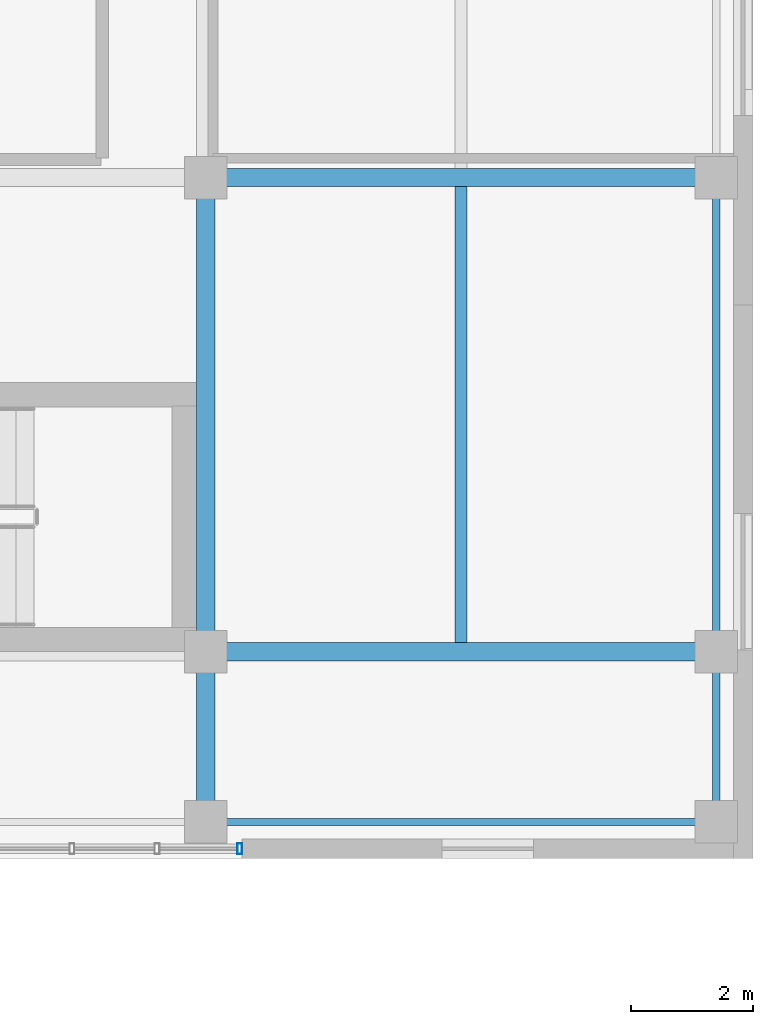
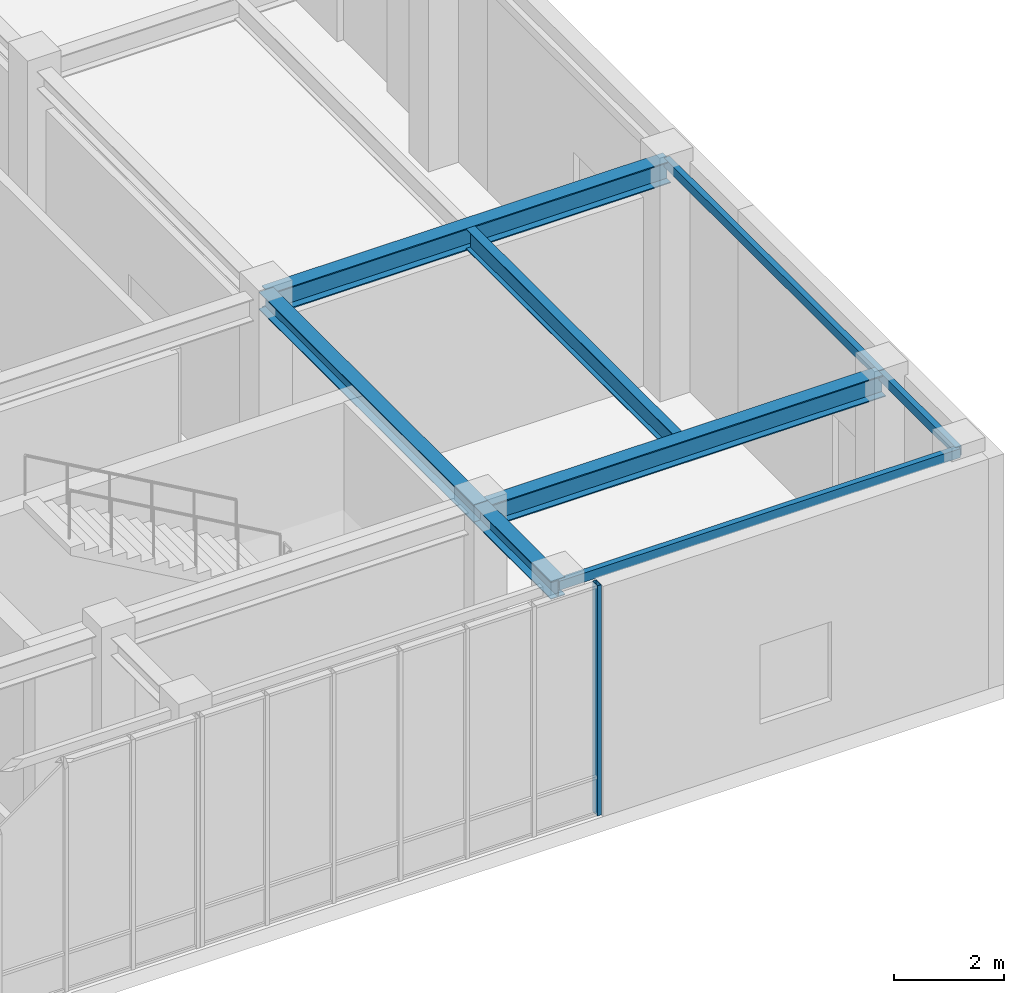
# One storey, part 72 of 122: 8 beams, 1 member, 1 element without a shape of its own.
"""IFC4 building model written with IfcOpenShell, lengths in metres."""

from ifc_helpers import new_model, si_unit, direction, frame, origin, origin_2d, place, context, subcontext, project, spatial, hollow_rectangle, i_section, extrude, material, layer, layer_set, material_profile, profile_set, type_object, element, aggregate, save


model = new_model("IFC4")

# Units and contexts
model_context = context("Model", 3, precision=1e-05, world=origin(), true_north=direction((0.0, 1.0)))
body_context = subcontext(model_context, "Body", "Model", "MODEL_VIEW")
ifc_project = project(units=[si_unit("LENGTHUNIT", "METRE"), si_unit("AREAUNIT", "SQUARE_METRE"), si_unit("VOLUMEUNIT", "CUBIC_METRE"), si_unit("PLANEANGLEUNIT", "RADIAN"), si_unit("MASSUNIT", "GRAM", prefix="KILO")], contexts=[model_context])

# Site, building, storey
site_placement = place(None, origin())
site = spatial("IfcSite", under=ifc_project, at=site_placement, CompositionType="ELEMENT")
building_placement = place(site_placement, origin())
building = spatial("IfcBuilding", under=site, at=building_placement, Name="Zayran Congress Hotel", CompositionType="ELEMENT")
storey_placement = place(building_placement, origin())
storey = spatial("IfcBuildingStorey", under=building, at=storey_placement, Name="L00", CompositionType="ELEMENT", Elevation=0.0)

# Beams
ifc_material_1 = material(Name="Steel S355", Category="steel")
ifc_material_profile_1 = material_profile(ifc_material_1, i_section(OverallWidth=0.300048828125, OverallDepth=0.489990234375, WebThickness=0.011962890625, FlangeThickness=0.02294921875, at=origin_2d()), Name="HEA 500")
ifc_profile_set_1 = profile_set([ifc_material_profile_1], Name="Steel S355")
beam_type_1 = type_object("IfcBeamType", Name="TP-BM-05", PredefinedType="BEAM", material=ifc_profile_set_1)
for number, where, z_axis, x_axis, name in (
    (1, (184.199951171875, 9.39990234375, 4.85498046875), (1.0, 0.0, 0.0), (0.0, 1.0, 0.0), "BM-V3-L00-1058"),
    (2, (184.199951171875, 17.199951171875, 4.85498046875), (1.0, 0.0, 0.0), (0.0, 1.0, 0.0), "BM-V3-L00-1063"),
):
    element("IfcBeam", number, at=place(storey_placement, frame(where, z_axis=z_axis, x_axis=x_axis)), inside=storey, type_object=beam_type_1, Name=name, PredefinedType="BEAM", context=body_context, shape_type="SweptSolid", body=[
        extrude(i_section(OverallWidth=0.300048828125, OverallDepth=0.489990234375, WebThickness=0.011962890625, FlangeThickness=0.02294921875, at=origin_2d()), origin(), (0.0, 0.0, 1.0), 8.400146484375),
    ])
ifc_material_profile_2 = material_profile(ifc_material_1, i_section(OverallWidth=0.300048828125, OverallDepth=0.389892578125, WebThickness=0.010986328125, FlangeThickness=0.01904296875, at=origin_2d()), Name="HEA 400")
ifc_profile_set_2 = profile_set([ifc_material_profile_2], Name="Steel S355")
beam_type_2 = type_object("IfcBeamType", Name="TP-BM-06", PredefinedType="BEAM", material=ifc_profile_set_2)
beam_1_placement = place(storey_placement, frame((184.199951171875, 6.60009765625, 4.905029296875), z_axis=(0.0, 1.0, 0.0), x_axis=(-1.0, 0.0, 0.0)))
element("IfcBeam", 3, at=beam_1_placement, inside=storey, type_object=beam_type_2, Name="BM-V3-L00-1089", PredefinedType="BEAM", context=body_context, shape_type="SweptSolid", body=[
    extrude(i_section(OverallWidth=0.300048828125, OverallDepth=0.389892578125, WebThickness=0.010986328125, FlangeThickness=0.01904296875, at=origin_2d()), origin(), (0.0, 0.0, 1.0), 2.7998046875),
])
beam_2_placement = place(storey_placement, frame((184.199951171875, 9.39990234375, 4.905029296875), z_axis=(0.0, 1.0, 0.0), x_axis=(-1.0, 0.0, 0.0)))
element("IfcBeam", 4, at=beam_2_placement, inside=storey, type_object=beam_type_2, Name="BM-V3-L00-1090", PredefinedType="BEAM", context=body_context, shape_type="SweptSolid", body=[
    extrude(i_section(OverallWidth=0.300048828125, OverallDepth=0.389892578125, WebThickness=0.010986328125, FlangeThickness=0.01904296875, at=origin_2d()), origin(), (0.0, 0.0, 1.0), 7.800048828125),
])
ifc_material_profile_3 = material_profile(ifc_material_1, i_section(OverallWidth=0.18994140625, OverallDepth=0.449951171875, WebThickness=0.009521484375, FlangeThickness=0.0146484375, at=origin_2d()), Name="IPE 450")
ifc_profile_set_3 = profile_set([ifc_material_profile_3], Name="Steel S355")
beam_type_3 = type_object("IfcBeamType", Name="TP-JS-02", PredefinedType="JOIST", material=ifc_profile_set_3)
beam_3_placement = place(storey_placement, frame((188.39990234375, 9.550048828125, 4.875), z_axis=(0.0, 1.0, 0.0), x_axis=(-1.0, 0.0, 0.0)))
element("IfcBeam", 5, at=beam_3_placement, inside=storey, type_object=beam_type_3, Name="JST-V3-L00-1107", PredefinedType="JOIST", context=body_context, shape_type="SweptSolid", body=[
    extrude(i_section(OverallWidth=0.18994140625, OverallDepth=0.449951171875, WebThickness=0.009521484375, FlangeThickness=0.0146484375, at=origin_2d()), origin(), (0.0, 0.0, 1.0), 7.5),
])
ifc_material_profile_4 = material_profile(ifc_material_1, hollow_rectangle(XDim=0.1201171875, YDim=0.199951171875, WallThickness=0.008056640625, at=origin_2d()), Name="RHS 200x120x8")
ifc_profile_set_4 = profile_set([ifc_material_profile_4], Name="Steel S355")
beam_type_4 = type_object("IfcBeamType", Name="TP-SP-02", PredefinedType="SPANDREL", material=ifc_profile_set_4)
beam_4_placement = place(storey_placement, frame((184.199951171875, 6.60009765625, 5.0), z_axis=(1.0, 0.0, 0.0), x_axis=(0.0, 1.0, 0.0)))
element("IfcBeam", 6, at=beam_4_placement, inside=storey, type_object=beam_type_4, Name="BM-V3-L00-1053", PredefinedType="SPANDREL", context=body_context, shape_type="SweptSolid", body=[
    extrude(hollow_rectangle(XDim=0.1201171875, YDim=0.199951171875, WallThickness=0.008056640625, at=origin_2d()), origin(), (0.0, 0.0, 1.0), 8.400146484375),
])
beam_5_placement = place(storey_placement, frame((192.60009765625, 6.60009765625, 5.0), z_axis=(0.0, 1.0, 0.0), x_axis=(-1.0, 0.0, 0.0)))
element("IfcBeam", 7, at=beam_5_placement, inside=storey, type_object=beam_type_4, Name="BM-V3-L00-1094", PredefinedType="SPANDREL", context=body_context, shape_type="SweptSolid", body=[
    extrude(hollow_rectangle(XDim=0.1201171875, YDim=0.199951171875, WallThickness=0.008056640625, at=origin_2d()), origin(), (0.0, 0.0, 1.0), 2.7998046875),
])
beam_6_placement = place(storey_placement, frame((192.60009765625, 9.39990234375, 5.0), z_axis=(0.0, 1.0, 0.0), x_axis=(-1.0, 0.0, 0.0)))
element("IfcBeam", 8, at=beam_6_placement, inside=storey, type_object=beam_type_4, Name="BM-V3-L00-1095", PredefinedType="SPANDREL", context=body_context, shape_type="SweptSolid", body=[
    extrude(hollow_rectangle(XDim=0.1201171875, YDim=0.199951171875, WallThickness=0.008056640625, at=origin_2d()), origin(), (0.0, 0.0, 1.0), 7.800048828125),
])

# Curtain wall, member
ifc_material_2 = material(Name="Anodised aluminium and low-E insulated glass", Category="aluminium")
ifc_layer = layer(ifc_material_2, 0.179931640625)
ifc_layer_set = layer_set([ifc_layer], Name="Anodised aluminium and low-E insulated glass")
curtain_wall_type = type_object("IfcCurtainWallType", Name="CW-V3S-L00-CW-V32-8395-5100", PredefinedType="USERDEFINED", material=ifc_layer_set)
curtain_wall_placement = place(storey_placement, origin())
curtain_wall = element("IfcCurtainWall", 9, at=curtain_wall_placement, inside=storey, type_object=curtain_wall_type, Name="CW-V3S-L00-3", ObjectType="CURTAIN WALL", PredefinedType="USERDEFINED")
ifc_material_3 = material(Name="Anodised aluminium framing", Category="aluminium")
ifc_material_profile_5 = material_profile(ifc_material_3, hollow_rectangle(XDim=0.080078125, YDim=0.179931640625, WallThickness=0.0048828125, at=origin_2d()), Name="RHS 180x80x5")
ifc_profile_set_5 = profile_set([ifc_material_profile_5], Name="Anodised aluminium framing")
member_type = type_object("IfcMemberType", Name="TP-CWM-01", PredefinedType="MULLION", material=ifc_profile_set_5)
member_placement = place(storey_placement, frame((184.760009765625, 6.159912109375, 0.0), z_axis=(0.0, 0.0, 1.0), x_axis=(1.0, 0.0, 0.0)))
member = element("IfcMember", 10, at=member_placement, type_object=member_type, Name="CW-V3S-L00-3-M06", PredefinedType="MULLION", context=body_context, shape_type="SweptSolid", body=[
    extrude(hollow_rectangle(XDim=0.080078125, YDim=0.179931640625, WallThickness=0.0048828125, at=origin_2d()), origin(), (0.0, 0.0, 1.0), 5.10009765625),
])
aggregate(curtain_wall, [member])

save(model, "model.ifc")
